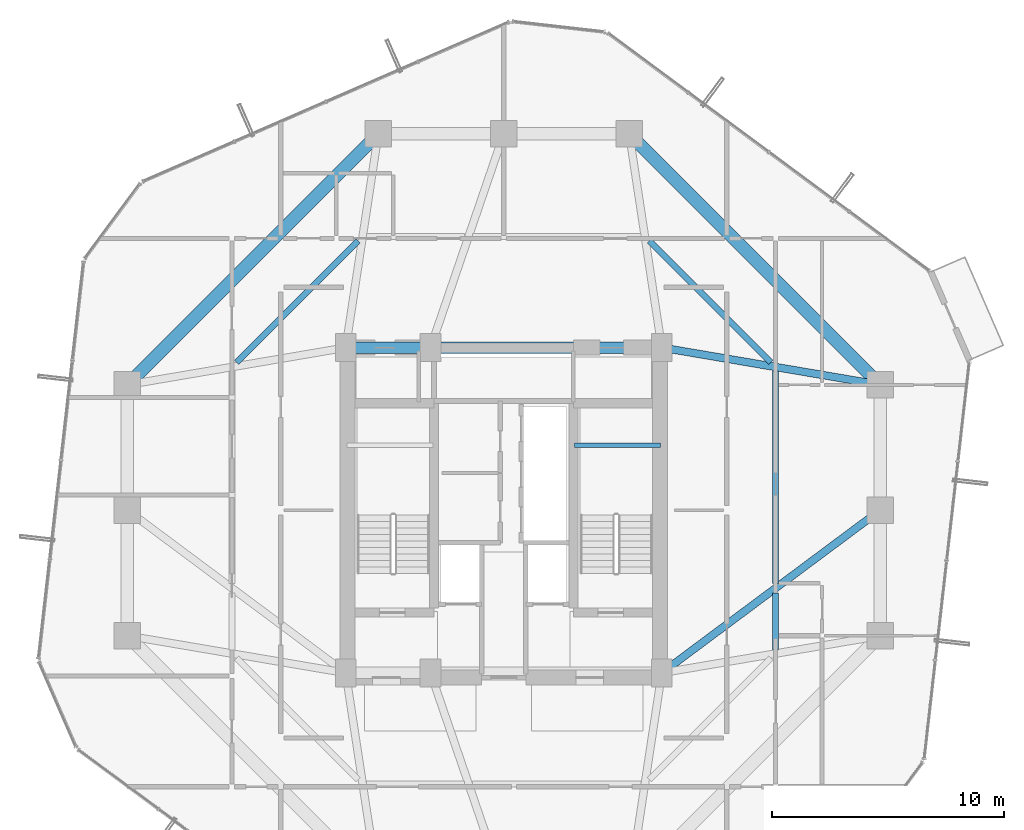
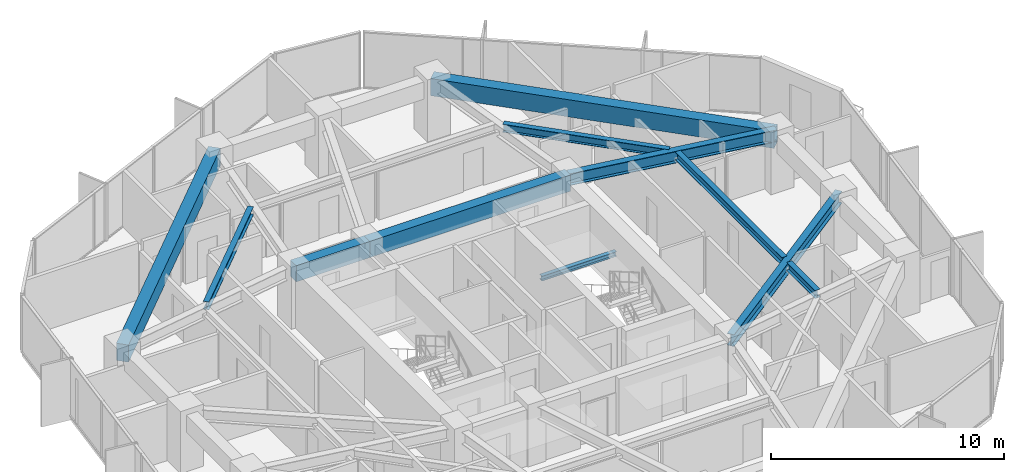
# One storey, part 13 of 29: 11 beams.
"""IFC4 building model written with IfcOpenShell, lengths in metres."""

from ifc_helpers import new_model, si_unit, direction, frame, origin, origin_2d, place, context, subcontext, project, spatial, rectangle, i_section, extrude, material, material_profile, profile_set, type_object, element, save


model = new_model("IFC4")

# Units and contexts
model_context = context("Model", 3, precision=1e-05, world=origin(), true_north=direction((0.0, 1.0)))
body_context = subcontext(model_context, "Body", "Model", "MODEL_VIEW")
ifc_project = project(units=[si_unit("LENGTHUNIT", "METRE"), si_unit("AREAUNIT", "SQUARE_METRE"), si_unit("VOLUMEUNIT", "CUBIC_METRE"), si_unit("PLANEANGLEUNIT", "RADIAN"), si_unit("MASSUNIT", "GRAM", prefix="KILO")], contexts=[model_context])

# Site, building, storey
site_placement = place(None, origin())
site = spatial("IfcSite", under=ifc_project, at=site_placement, CompositionType="ELEMENT")
building_placement = place(site_placement, origin())
building = spatial("IfcBuilding", under=site, at=building_placement, Name="Veraguas Prism Commons", CompositionType="ELEMENT")
storey_placement = place(building_placement, frame((0.0, 0.0, 105.699951171875)))
storey = spatial("IfcBuildingStorey", under=building, at=storey_placement, Name="L29", CompositionType="ELEMENT", Elevation=105.699951171875)

# Beams
ifc_material_1 = material(Name="Concrete C50/60", Category="concrete")
ifc_material_profile_1 = material_profile(ifc_material_1, rectangle(XDim=0.5, YDim=0.85009765625, at=origin_2d()), Name="RC500X850")
ifc_profile_set_1 = profile_set([ifc_material_profile_1], Name="Concrete C50/60")
beam_type_1 = type_object("IfcBeamType", Name="Core Coupling Beam RC 500x850", PredefinedType="BEAM", material=ifc_profile_set_1)
beam_1_placement = place(storey_placement, frame((17.199951171875, 31.0, 2.545166015625), z_axis=(1.0, 0.0, 0.0), x_axis=(0.0, 1.0, 0.0)))
element("IfcBeam", 1, at=beam_1_placement, inside=storey, type_object=beam_type_1, Name="Core Coupling Beam L29-CRN1", PredefinedType="BEAM", context=body_context, shape_type="SweptSolid", body=[
    extrude(rectangle(XDim=0.5, YDim=0.85009765625, at=origin_2d()), origin(), (0.0, 0.0, 1.0), 3.650146484375),
])
beam_2_placement = place(storey_placement, frame((20.85009765625, 31.0, 2.545166015625), z_axis=(1.0, 0.0, 0.0), x_axis=(0.0, 1.0, 0.0)))
element("IfcBeam", 2, at=beam_2_placement, inside=storey, type_object=beam_type_1, Name="Core Coupling Beam L29-CRN2", PredefinedType="BEAM", context=body_context, shape_type="SweptSolid", body=[
    extrude(rectangle(XDim=0.5, YDim=0.85009765625, at=origin_2d()), origin(), (0.0, 0.0, 1.0), 9.949951171875),
])
ifc_material_2 = material(Name="Steel ASTM A992 Grade 50", Category="steel")
ifc_material_profile_2 = material_profile(ifc_material_2, i_section(OverallWidth=0.260986328125, OverallDepth=0.419921875, WebThickness=0.01171875, FlangeThickness=0.019287109375, at=origin_2d()), Name="W410X114")
ifc_profile_set_2 = profile_set([ifc_material_profile_2], Name="Steel ASTM A992 Grade 50")
beam_type_2 = type_object("IfcBeamType", Name="Lower Floor Joist W410x114", PredefinedType="JOIST", material=ifc_profile_set_2)
beam_3_placement = place(storey_placement, frame((35.68798828125, 17.996337890625, 2.760009765625), z_axis=(0.0, 1.0, 0.0), x_axis=(-1.0, 0.0, 0.0)))
element("IfcBeam", 3, at=beam_3_placement, inside=storey, type_object=beam_type_2, Name="Composite Floor Joist L29-JS01", PredefinedType="JOIST", context=body_context, shape_type="SweptSolid", body=[
    extrude(i_section(OverallWidth=0.260986328125, OverallDepth=0.419921875, WebThickness=0.01171875, FlangeThickness=0.019287109375, at=origin_2d()), origin(), (0.0, 0.0, 1.0), 2.441650390625),
])
beam_4_placement = place(storey_placement, frame((35.68798828125, 20.842041015625, 2.760009765625), z_axis=(0.0, 1.0, 0.0), x_axis=(-1.0, 0.0, 0.0)))
element("IfcBeam", 4, at=beam_4_placement, inside=storey, type_object=beam_type_2, Name="Composite Floor Joist L29-JS02", PredefinedType="JOIST", context=body_context, shape_type="SweptSolid", body=[
    extrude(i_section(OverallWidth=0.260986328125, OverallDepth=0.419921875, WebThickness=0.01171875, FlangeThickness=0.019287109375, at=origin_2d()), origin(), (0.0, 0.0, 1.0), 9.16162109375),
])
for number, where, z_axis, x_axis, name in (
    (5, (35.489990234375, 30.365966796875, 2.760009765625), (-0.707090260193, 0.707123301794, 0.0), (-0.707123301794, -0.707090260193, 0.0), "Composite Floor Joist L29-JS03"),
    (6, (17.734619140625, 35.5908203125, 2.760009765625), (-0.707090260193, -0.707123301794, 0.0), (0.707123301794, -0.707090260193, 0.0), "Composite Floor Joist L29-JS06"),
):
    element("IfcBeam", number, at=place(storey_placement, frame(where, z_axis=z_axis, x_axis=x_axis)), inside=storey, type_object=beam_type_2, Name=name, PredefinedType="JOIST", context=body_context, shape_type="SweptSolid", body=[
        extrude(i_section(OverallWidth=0.260986328125, OverallDepth=0.419921875, WebThickness=0.01171875, FlangeThickness=0.019287109375, at=origin_2d()), origin(), (0.0, 0.0, 1.0), 7.388916015625),
    ])
ifc_material_profile_3 = material_profile(ifc_material_1, rectangle(XDim=0.550048828125, YDim=0.89990234375, at=origin_2d()), Name="RC550X900")
ifc_profile_set_3 = profile_set([ifc_material_profile_3], Name="Concrete C50/60")
beam_type_3 = type_object("IfcBeamType", Name="Perimeter Spandrel Lower RC 550x900", PredefinedType="SPANDREL", material=ifc_profile_set_3)
for number, where, z_axis, x_axis, name in (
    (7, (40.199951171875, 29.39990234375, 2.52001953125), (-0.707106781187, 0.707106781187, 0.0), (-0.707106781187, -0.707106781187, 0.0), "Perimeter Spandrel Beam L29-SP03"),
    (8, (18.60009765625, 40.199951171875, 2.52001953125), (-0.707106781187, -0.707106781187, 0.0), (0.707106781187, -0.707106781187, 0.0), "Perimeter Spandrel Beam L29-SP06"),
):
    element("IfcBeam", number, at=place(storey_placement, frame(where, z_axis=z_axis, x_axis=x_axis)), inside=storey, type_object=beam_type_3, Name=name, PredefinedType="SPANDREL", context=body_context, shape_type="SweptSolid", body=[
        extrude(rectangle(XDim=0.550048828125, YDim=0.89990234375, at=origin_2d()), origin(), (0.0, 0.0, 1.0), 15.273681640625),
    ])
ifc_material_profile_4 = material_profile(ifc_material_2, i_section(OverallWidth=0.202880859375, OverallDepth=0.251953125, WebThickness=0.008056640625, FlangeThickness=0.013427734375, at=origin_2d()), Name="W250X58")
ifc_profile_set_4 = profile_set([ifc_material_profile_4], Name="Steel ASTM A992 Grade 50")
beam_type_4 = type_object("IfcBeamType", Name="Structural Opening Lintel W250x58", PredefinedType="LINTEL", material=ifc_profile_set_4)
beam_5_placement = place(storey_placement, frame((27.050048828125, 26.800048828125, 1.299072265625), z_axis=(1.0, 0.0, 0.0), x_axis=(0.0, 1.0, 0.0)))
element("IfcBeam", 9, at=beam_5_placement, inside=storey, type_object=beam_type_4, Name="Stair ST-02 Half-Landing Support Beam L29-1", PredefinedType="LINTEL", context=body_context, shape_type="SweptSolid", body=[
    extrude(i_section(OverallWidth=0.202880859375, OverallDepth=0.251953125, WebThickness=0.008056640625, FlangeThickness=0.013427734375, at=origin_2d()), origin(), (0.0, 0.0, 1.0), 3.699951171875),
])
ifc_material_profile_5 = material_profile(ifc_material_2, i_section(OverallWidth=0.327880859375, OverallDepth=0.6220703125, WebThickness=0.015380859375, FlangeThickness=0.0244140625, at=origin_2d()), Name="W610X195")
ifc_profile_set_5 = profile_set([ifc_material_profile_5], Name="Steel ASTM A992 Grade 50")
beam_type_5 = type_object("IfcBeamType", Name="Zone 2 Radial Girder W610x195", PredefinedType="BEAM", material=ifc_profile_set_5)
beam_6_placement = place(storey_placement, frame((40.199951171875, 24.0, 2.658935546875), z_axis=(-0.802040137921, -0.597270137512, 0.0), x_axis=(0.597270137512, -0.802040137921, 0.0)))
element("IfcBeam", 10, at=beam_6_placement, inside=storey, type_object=beam_type_5, Name="Radial Floor Girder L29-RD02", PredefinedType="BEAM", context=body_context, shape_type="SweptSolid", body=[
    extrude(i_section(OverallWidth=0.327880859375, OverallDepth=0.6220703125, WebThickness=0.015380859375, FlangeThickness=0.0244140625, at=origin_2d()), origin(), (0.0, 0.0, 1.0), 11.719970703125),
])
beam_7_placement = place(storey_placement, frame((40.199951171875, 29.39990234375, 2.658935546875), z_axis=(-0.985819187151, 0.1678109956, 0.0), x_axis=(-0.1678109956, -0.985819187151, 0.0)))
element("IfcBeam", 11, at=beam_7_placement, inside=storey, type_object=beam_type_5, Name="Radial Floor Girder L29-RD03", PredefinedType="BEAM", context=body_context, shape_type="SweptSolid", body=[
    extrude(i_section(OverallWidth=0.327880859375, OverallDepth=0.6220703125, WebThickness=0.015380859375, FlangeThickness=0.0244140625, at=origin_2d()), origin(), (0.0, 0.0, 1.0), 9.53515625),
])

save(model, "model.ifc")
